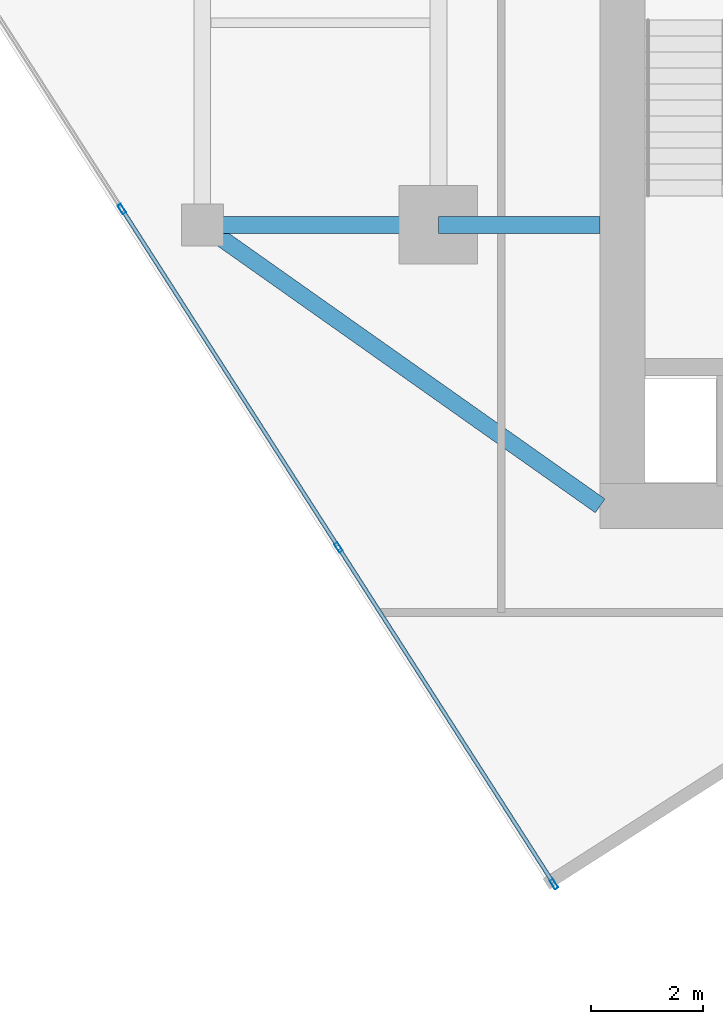
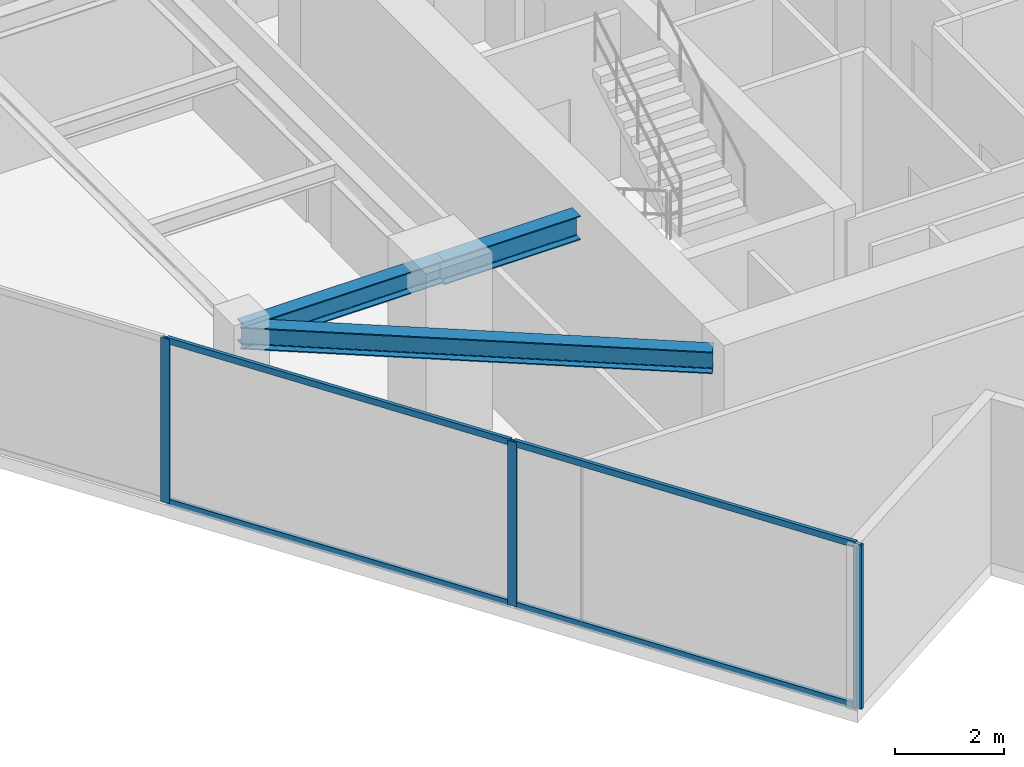
# One storey, part 2 of 20: 7 members, 3 beams, 1 element without a shape of its own.
"""IFC4 building model written with IfcOpenShell, lengths in metres."""

from ifc_helpers import new_model, si_unit, direction, frame, origin, origin_2d, place, context, subcontext, project, spatial, hollow_rectangle, i_section, extrude, source, transform, mapped, material, material_profile, profile_set, type_object, type_shapes, element, aggregate, save


model = new_model("IFC4")

# Units and contexts
model_context = context("Model", 3, precision=1e-05, world=origin(), true_north=direction((0.0, 1.0)))
body_context = subcontext(model_context, "Body", "Model", "MODEL_VIEW")
ifc_project = project(units=[si_unit("LENGTHUNIT", "METRE"), si_unit("AREAUNIT", "SQUARE_METRE"), si_unit("VOLUMEUNIT", "CUBIC_METRE"), si_unit("PLANEANGLEUNIT", "RADIAN"), si_unit("MASSUNIT", "GRAM", prefix="KILO")], contexts=[model_context])

# Site, building, storey
site_placement = place(None, origin())
site = spatial("IfcSite", under=ifc_project, at=site_placement, CompositionType="ELEMENT")
building_placement = place(site_placement, origin())
building = spatial("IfcBuilding", under=site, at=building_placement, Name="Krantzveldt Concourse Tower", CompositionType="ELEMENT")
storey_placement = place(building_placement, frame((0.0, 0.0, 287.14990234375)))
storey = spatial("IfcBuildingStorey", under=building, at=storey_placement, Name="L70", CompositionType="ELEMENT", Elevation=287.14990234375)

# Beams
ifc_material_1 = material(Name="Steel S355JR", Category="steel")
ifc_material_profile_1 = material_profile(ifc_material_1, i_section(OverallWidth=0.300048828125, OverallDepth=0.489990234375, WebThickness=0.011962890625, FlangeThickness=0.02294921875, FilletRadius=0.027099609375, at=origin_2d()), Name="Steel S355JR", Category="steel")
ifc_profile_set_1 = profile_set([ifc_material_profile_1], Name="Steel S355JR - HEA 500")
beam_type_1 = type_object("IfcBeamType", Name="BM-B-HEA500", PredefinedType="BEAM", material=ifc_profile_set_1)
shared_shape_1 = source(origin(), body_context, "Body", "SweptSolid", [
    extrude(i_section(OverallWidth=0.300048828125, OverallDepth=0.489990234375, WebThickness=0.011962890625, FlangeThickness=0.02294921875, FilletRadius=0.027099609375, at=origin_2d()), origin(), (0.0, 0.0, 1.0), 4.199951171875),
])
beam_1_placement = place(storey_placement, frame((21.0, 15.89990234375, 3.425048828125), z_axis=(1.0, 0.0, 0.0), x_axis=(0.0, 1.0, 0.0)))
element("IfcBeam", 1, at=beam_1_placement, inside=storey, type_object=beam_type_1, Name="L70 Tower Girder BR-RL1", PredefinedType="BEAM", context=body_context, shape_type="MappedRepresentation", body=[
    mapped(shared_shape_1, transform((0.0, 0.0, 0.0), x_axis=(1.0, 0.0, 0.0), y_axis=(0.0, 1.0, 0.0), z_axis=(0.0, 0.0, 1.0), scale=1.0)),
])
shared_shape_2 = source(origin(), body_context, "Body", "SweptSolid", [
    extrude(i_section(OverallWidth=0.300048828125, OverallDepth=0.489990234375, WebThickness=0.011962890625, FlangeThickness=0.02294921875, FilletRadius=0.027099609375, at=origin_2d()), origin(), (0.0, 0.0, 1.0), 8.667724609375),
])
type_shapes(beam_type_1, [shared_shape_1, shared_shape_2])
beam_2_placement = place(storey_placement, frame((21.0, 15.89990234375, 3.425048828125), z_axis=(0.81684294656, -0.576860122261, 0.0), x_axis=(0.576860122261, 0.81684294656, 0.0)))
element("IfcBeam", 2, at=beam_2_placement, inside=storey, type_object=beam_type_1, Name="L70 Tower Girder BR-CSW", PredefinedType="BEAM", context=body_context, shape_type="MappedRepresentation", body=[
    mapped(shared_shape_2, transform((0.0, 0.0, 0.0), x_axis=(1.0, 0.0, 0.0), y_axis=(0.0, 1.0, 0.0), z_axis=(0.0, 0.0, 1.0), scale=1.0)),
])
ifc_material_profile_2 = material_profile(ifc_material_1, i_section(OverallWidth=0.300048828125, OverallDepth=0.5400390625, WebThickness=0.012451171875, FlangeThickness=0.02392578125, FilletRadius=0.027099609375, at=origin_2d()), Name="Steel S355JR", Category="steel")
ifc_profile_set_2 = profile_set([ifc_material_profile_2], Name="Steel S355JR - HEA 550")
beam_type_2 = type_object("IfcBeamType", Name="BM-B-HEA550", PredefinedType="BEAM", material=ifc_profile_set_2)
shared_shape_3 = source(origin(), body_context, "Body", "SweptSolid", [
    extrude(i_section(OverallWidth=0.300048828125, OverallDepth=0.5400390625, WebThickness=0.012451171875, FlangeThickness=0.02392578125, FilletRadius=0.027099609375, at=origin_2d()), origin(), (0.0, 0.0, 1.0), 2.880126953125),
])
type_shapes(beam_type_2, [shared_shape_3])
beam_3_placement = place(storey_placement, frame((25.199951171875, 15.89990234375, 3.400146484375), z_axis=(1.0, 0.0, 0.0), x_axis=(0.0, 1.0, 0.0)))
element("IfcBeam", 3, at=beam_3_placement, inside=storey, type_object=beam_type_2, Name="L70 Tower Girder BG-CW1", PredefinedType="BEAM", context=body_context, shape_type="MappedRepresentation", body=[
    mapped(shared_shape_3, transform((0.0, 0.0, 0.0), x_axis=(1.0, 0.0, 0.0), y_axis=(0.0, 1.0, 0.0), z_axis=(0.0, 0.0, 1.0), scale=1.0)),
])

# Curtain wall, members
ifc_material_2 = material(Name="Anodised aluminium 6063-T6", Category="aluminium")
curtain_wall_type = type_object("IfcCurtainWallType", Name="CW4", PredefinedType="USERDEFINED", material=ifc_material_2)
curtain_wall_placement = place(storey_placement, origin())
curtain_wall = element("IfcCurtainWall", 4, at=curtain_wall_placement, inside=storey, type_object=curtain_wall_type, Name="CW-L70-F04", ObjectType="UNITISED CURTAIN WALL", PredefinedType="USERDEFINED")
ifc_material_profile_3 = material_profile(ifc_material_2, hollow_rectangle(XDim=0.070068359375, YDim=0.179931640625, WallThickness=0.0048828125, at=origin_2d()), Name="Anodised aluminium 6063-T6", Category="aluminium")
ifc_profile_set_3 = profile_set([ifc_material_profile_3], Name="Anodised aluminium 6063-T6 - ALU-MULL 180x70x5")
member_type_1 = type_object("IfcMemberType", Name="CW-MUL-180", PredefinedType="MULLION", material=ifc_profile_set_3)
shared_shape_4 = source(origin(), body_context, "Body", "SweptSolid", [
    extrude(hollow_rectangle(XDim=0.070068359375, YDim=0.179931640625, WallThickness=0.0048828125, at=origin_2d()), origin(), (0.0, 0.0, 1.0), 3.670166015625),
])
type_shapes(member_type_1, [shared_shape_4])
member_1_placement = place(storey_placement, frame((19.568359375, 16.181396484375, 0.0), z_axis=(0.0, 0.0, 1.0), x_axis=(0.842217243088, 0.53913830827, 0.0)))
member_1 = element("IfcMember", 5, at=member_1_placement, type_object=member_type_1, Name="CW-Z56 mullion 3", PredefinedType="MULLION", context=body_context, shape_type="MappedRepresentation", body=[
    mapped(shared_shape_4, transform((0.0, 0.0, 0.0), x_axis=(1.0, 0.0, 0.0), y_axis=(0.0, 1.0, 0.0), z_axis=(0.0, 0.0, 1.0), scale=1.0)),
])
member_2_placement = place(storey_placement, frame((23.423095703125, 10.15966796875, 0.0), z_axis=(0.0, 0.0, 1.0), x_axis=(0.842217243088, 0.53913830827, 0.0)))
member_2 = element("IfcMember", 6, at=member_2_placement, type_object=member_type_1, Name="CW-Z56 mullion 4", PredefinedType="MULLION", context=body_context, shape_type="MappedRepresentation", body=[
    mapped(shared_shape_4, transform((0.0, 0.0, 0.0), x_axis=(1.0, 0.0, 0.0), y_axis=(0.0, 1.0, 0.0), z_axis=(0.0, 0.0, 1.0), scale=1.0)),
])
member_3_placement = place(storey_placement, frame((27.259033203125, 4.167236328125, 0.0), z_axis=(0.0, 0.0, 1.0), x_axis=(0.842217243088, 0.53913830827, 0.0)))
member_3 = element("IfcMember", 7, at=member_3_placement, type_object=member_type_1, Name="CW-Z56 mullion 5", PredefinedType="MULLION", context=body_context, shape_type="MappedRepresentation", body=[
    mapped(shared_shape_4, transform((0.0, 0.0, 0.0), x_axis=(1.0, 0.0, 0.0), y_axis=(0.0, 1.0, 0.0), z_axis=(0.0, 0.0, 1.0), scale=1.0)),
])
ifc_material_profile_4 = material_profile(ifc_material_2, hollow_rectangle(XDim=0.070068359375, YDim=0.139892578125, WallThickness=0.0048828125, at=origin_2d()), Name="Anodised aluminium 6063-T6", Category="aluminium")
ifc_profile_set_4 = profile_set([ifc_material_profile_4], Name="Anodised aluminium 6063-T6 - ALU-TRAN 140x70x5")
member_type_2 = type_object("IfcMemberType", Name="CW-TRN-150", PredefinedType="USERDEFINED", material=ifc_profile_set_4)
shared_shape_5 = source(origin(), body_context, "Body", "SweptSolid", [
    extrude(hollow_rectangle(XDim=0.070068359375, YDim=0.139892578125, WallThickness=0.0048828125, at=origin_2d()), origin(), (0.0, 0.0, 1.0), 7.080078125),
])
member_4_placement = place(storey_placement, frame((19.587158203125, 16.15185546875, 0.03515625), z_axis=(0.539142738786, -0.842214406915, 0.0), x_axis=(0.842214406915, 0.539142738786, 0.0)))
member_4 = element("IfcMember", 8, at=member_4_placement, type_object=member_type_2, Name="CW-Z56 transom 3.1", ObjectType="TRANSOM", PredefinedType="USERDEFINED", context=body_context, shape_type="MappedRepresentation", body=[
    mapped(shared_shape_5, transform((0.0, 0.0, 0.0), x_axis=(1.0, 0.0, 0.0), y_axis=(0.0, 1.0, 0.0), z_axis=(0.0, 0.0, 1.0), scale=1.0)),
])
member_5_placement = place(storey_placement, frame((19.587158203125, 16.15185546875, 3.635009765625), z_axis=(0.539142738786, -0.842214406915, 0.0), x_axis=(0.842214406915, 0.539142738786, 0.0)))
member_5 = element("IfcMember", 9, at=member_5_placement, type_object=member_type_2, Name="CW-Z56 transom 3.2", ObjectType="TRANSOM", PredefinedType="USERDEFINED", context=body_context, shape_type="MappedRepresentation", body=[
    mapped(shared_shape_5, transform((0.0, 0.0, 0.0), x_axis=(1.0, 0.0, 0.0), y_axis=(0.0, 1.0, 0.0), z_axis=(0.0, 0.0, 1.0), scale=1.0)),
])
shared_shape_6 = source(origin(), body_context, "Body", "SweptSolid", [
    extrude(hollow_rectangle(XDim=0.070068359375, YDim=0.139892578125, WallThickness=0.0048828125, at=origin_2d()), origin(), (0.0, 0.0, 1.0), 7.045166015625),
])
type_shapes(member_type_2, [shared_shape_5, shared_shape_6])
member_6_placement = place(storey_placement, frame((23.442138671875, 10.130126953125, 0.03515625), z_axis=(0.539113680854, -0.842233007615, 0.0), x_axis=(0.842233007615, 0.539113680854, 0.0)))
member_6 = element("IfcMember", 10, at=member_6_placement, type_object=member_type_2, Name="CW-Z56 transom 4.1", ObjectType="TRANSOM", PredefinedType="USERDEFINED", context=body_context, shape_type="MappedRepresentation", body=[
    mapped(shared_shape_6, transform((0.0, 0.0, 0.0), x_axis=(1.0, 0.0, 0.0), y_axis=(0.0, 1.0, 0.0), z_axis=(0.0, 0.0, 1.0), scale=1.0)),
])
member_7_placement = place(storey_placement, frame((23.442138671875, 10.130126953125, 3.635009765625), z_axis=(0.539113680854, -0.842233007615, 0.0), x_axis=(0.842233007615, 0.539113680854, 0.0)))
member_7 = element("IfcMember", 11, at=member_7_placement, type_object=member_type_2, Name="CW-Z56 transom 4.2", ObjectType="TRANSOM", PredefinedType="USERDEFINED", context=body_context, shape_type="MappedRepresentation", body=[
    mapped(shared_shape_6, transform((0.0, 0.0, 0.0), x_axis=(1.0, 0.0, 0.0), y_axis=(0.0, 1.0, 0.0), z_axis=(0.0, 0.0, 1.0), scale=1.0)),
])
aggregate(curtain_wall, [member_1, member_2, member_3, member_4, member_5, member_6, member_7])

save(model, "model.ifc")
